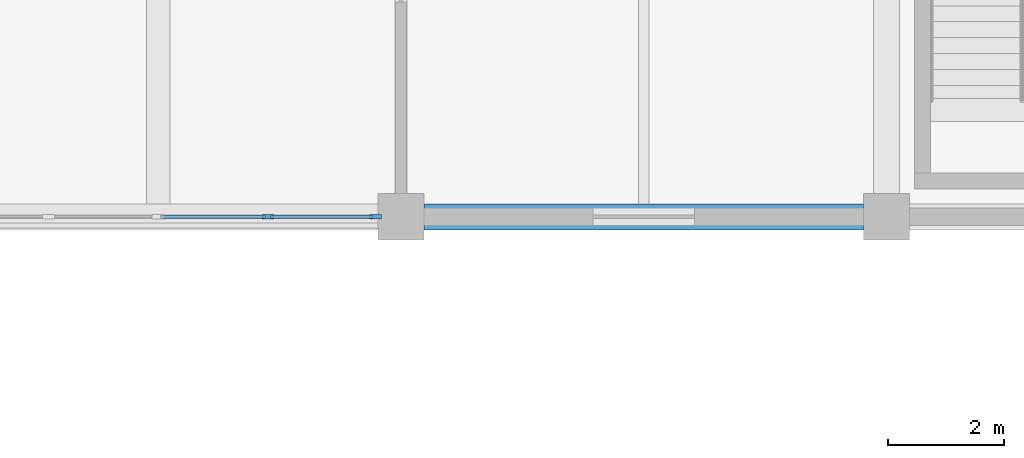
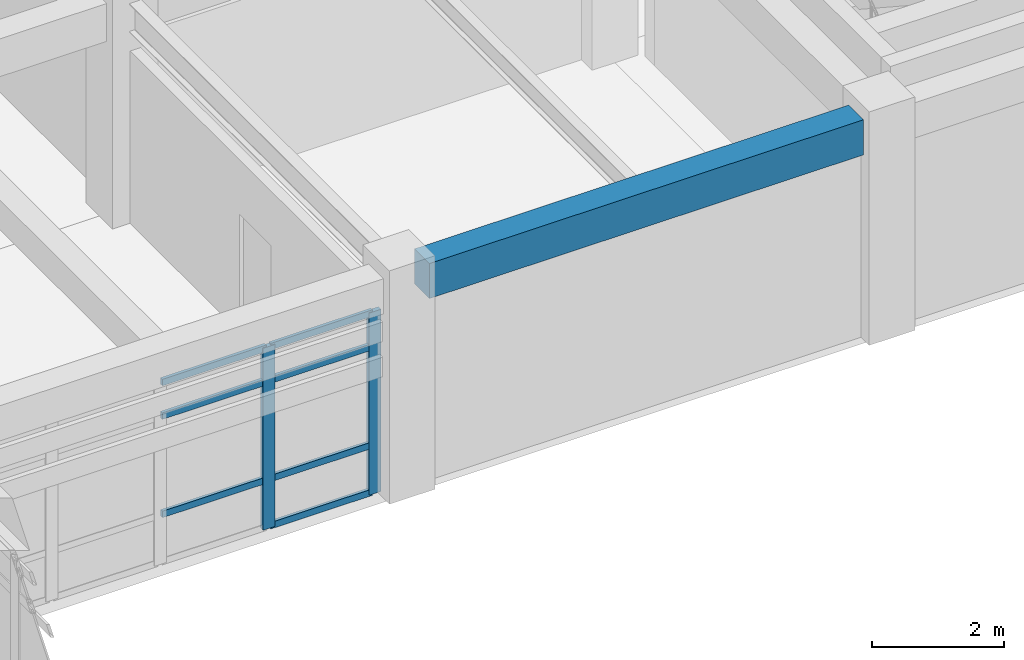
# One storey, part 30 of 74: 9 members, 1 beam, 1 element without a shape of its own.
"""IFC4 building model written with IfcOpenShell, lengths in metres."""

from ifc_helpers import new_model, si_unit, direction, frame, origin, origin_2d, place, context, subcontext, project, spatial, rectangle, extrude, material, layer, layer_set, material_profile, profile_set, type_object, element, aggregate, save


model = new_model("IFC4")

# Units and contexts
model_context = context("Model", 3, precision=1e-05, world=origin(), true_north=direction((0.0, 1.0)))
body_context = subcontext(model_context, "Body", "Model", "MODEL_VIEW")
ifc_project = project(units=[si_unit("LENGTHUNIT", "METRE"), si_unit("AREAUNIT", "SQUARE_METRE"), si_unit("VOLUMEUNIT", "CUBIC_METRE"), si_unit("PLANEANGLEUNIT", "RADIAN"), si_unit("MASSUNIT", "GRAM", prefix="KILO")], contexts=[model_context])

# Site, building, storey
site_placement = place(None, origin())
site = spatial("IfcSite", under=ifc_project, at=site_placement, CompositionType="ELEMENT")
building_placement = place(site_placement, origin())
building = spatial("IfcBuilding", under=site, at=building_placement, Name="Porcellanite Civic Hall", CompositionType="ELEMENT")
storey_placement = place(building_placement, frame((0.0, 0.0, 14.760009765625)))
storey = spatial("IfcBuildingStorey", under=building, at=storey_placement, Name="L03", CompositionType="ELEMENT", Elevation=14.760009765625)

# Beam
ifc_material_1 = material(Name="Concrete N50 (50 MPa)", Category="concrete")
ifc_material_profile_1 = material_profile(ifc_material_1, rectangle(XDim=0.449951171875, YDim=0.64990234375, at=origin_2d()), Name="RC-450x650")
ifc_profile_set_1 = profile_set([ifc_material_profile_1], Name="Concrete N50 (50 MPa)")
beam_type = type_object("IfcBeamType", Name="BM-RC650", PredefinedType="SPANDREL", material=ifc_profile_set_1)
beam_placement = place(storey_placement, frame((67.599609375, 100.800048828125, 3.744873046875), z_axis=(1.0, 0.0, 0.0), x_axis=(0.0, 1.0, 0.0)))
element("IfcBeam", 1, at=beam_placement, inside=storey, type_object=beam_type, Name="Beam X L03 9-13", PredefinedType="SPANDREL", context=body_context, shape_type="SweptSolid", body=[
    extrude(rectangle(XDim=0.449951171875, YDim=0.64990234375, at=origin_2d()), origin(), (0.0, 0.0, 1.0), 7.600830078125),
])

# Curtain wall, members
ifc_material_2 = material(Name="Anodised aluminium and solar laminated glass", Category="aluminium")
ifc_layer = layer(ifc_material_2, 0.179931640625)
ifc_layer_set = layer_set([ifc_layer], Name="Anodised aluminium and solar laminated glass")
curtain_wall_type = type_object("IfcCurtainWallType", Name="CW-SYS03", PredefinedType="NOTDEFINED", material=ifc_layer_set)
curtain_wall_placement = place(storey_placement, origin())
curtain_wall = element("IfcCurtainWall", 2, at=curtain_wall_placement, inside=storey, type_object=curtain_wall_type, Name="Curtain wall CW-204", PredefinedType="NOTDEFINED")
ifc_material_3 = material(Name="Anodised aluminium 6063-T6", Category="aluminium")
ifc_material_profile_2 = material_profile(ifc_material_3, rectangle(XDim=0.080078125, YDim=0.2099609375, at=origin_2d()), Name="AL-80x210")
ifc_profile_set_2 = profile_set([ifc_material_profile_2], Name="Anodised aluminium 6063-T6")
member_type_1 = type_object("IfcMemberType", Name="CWM-02", PredefinedType="MULLION", material=ifc_profile_set_2)
member_1_placement = place(storey_placement, frame((66.759033203125, 100.800048828125, 0.0), z_axis=(0.0, 0.0, 1.0), x_axis=(0.0, -1.0, 0.0)))
member_1 = element("IfcMember", 3, at=member_1_placement, type_object=member_type_1, Name="CW-204 mullion 1", PredefinedType="MULLION", context=body_context, shape_type="SweptSolid", body=[
    extrude(rectangle(XDim=0.080078125, YDim=0.2099609375, at=origin_2d()), origin(), (0.0, 0.0, 1.0), 3.369873046875),
])
member_2_placement = place(storey_placement, frame((64.8994140625, 100.800048828125, 0.0), z_axis=(0.0, 0.0, 1.0), x_axis=(0.0, -1.0, 0.0)))
member_2 = element("IfcMember", 4, at=member_2_placement, type_object=member_type_1, Name="CW-204 mullion 2", PredefinedType="MULLION", context=body_context, shape_type="SweptSolid", body=[
    extrude(rectangle(XDim=0.080078125, YDim=0.2099609375, at=origin_2d()), origin(), (0.0, 0.0, 1.0), 3.369873046875),
])
ifc_material_4 = material(Name="Anodised aluminium 6063-T6", Category="aluminium")
ifc_material_profile_3 = material_profile(ifc_material_4, rectangle(XDim=0.054931640625, YDim=0.1201171875, at=origin_2d()), Name="AL-55x120")
ifc_profile_set_3 = profile_set([ifc_material_profile_3], Name="Anodised aluminium 6063-T6")
member_type_2 = type_object("IfcMemberType", Name="CWT-04", PredefinedType="USERDEFINED", material=ifc_profile_set_3)
member_3_placement = place(storey_placement, frame((66.718994140625, 100.800048828125, 0.027587890625), z_axis=(-1.0, 0.0, 0.0), x_axis=(0.0, -1.0, 0.0)))
member_3 = element("IfcMember", 5, at=member_3_placement, type_object=member_type_2, Name="CW-204 transom 1.1", ObjectType="TRANSOM", PredefinedType="USERDEFINED", context=body_context, shape_type="SweptSolid", body=[
    extrude(rectangle(XDim=0.054931640625, YDim=0.1201171875, at=origin_2d()), origin(), (0.0, 0.0, 1.0), 1.779541015625),
])
member_4_placement = place(storey_placement, frame((66.718994140625, 100.800048828125, 0.89990234375), z_axis=(-1.0, 0.0, 0.0), x_axis=(0.0, -1.0, 0.0)))
member_4 = element("IfcMember", 6, at=member_4_placement, type_object=member_type_2, Name="CW-204 transom 1.2", ObjectType="TRANSOM", PredefinedType="USERDEFINED", context=body_context, shape_type="SweptSolid", body=[
    extrude(rectangle(XDim=0.054931640625, YDim=0.1201171875, at=origin_2d()), origin(), (0.0, 0.0, 1.0), 1.779541015625),
])
member_5_placement = place(storey_placement, frame((66.718994140625, 100.800048828125, 2.719970703125), z_axis=(-1.0, 0.0, 0.0), x_axis=(0.0, -1.0, 0.0)))
member_5 = element("IfcMember", 7, at=member_5_placement, type_object=member_type_2, Name="CW-204 transom 1.3", ObjectType="TRANSOM", PredefinedType="USERDEFINED", context=body_context, shape_type="SweptSolid", body=[
    extrude(rectangle(XDim=0.054931640625, YDim=0.1201171875, at=origin_2d()), origin(), (0.0, 0.0, 1.0), 1.779541015625),
])
member_6_placement = place(storey_placement, frame((66.718994140625, 100.800048828125, 3.342529296875), z_axis=(-1.0, 0.0, 0.0), x_axis=(0.0, -1.0, 0.0)))
member_6 = element("IfcMember", 8, at=member_6_placement, type_object=member_type_2, Name="CW-204 transom 1.4", ObjectType="TRANSOM", PredefinedType="USERDEFINED", context=body_context, shape_type="SweptSolid", body=[
    extrude(rectangle(XDim=0.054931640625, YDim=0.1201171875, at=origin_2d()), origin(), (0.0, 0.0, 1.0), 1.779541015625),
])
member_7_placement = place(storey_placement, frame((64.859619140625, 100.800048828125, 0.89990234375), z_axis=(-1.0, 0.0, 0.0), x_axis=(0.0, -1.0, 0.0)))
member_7 = element("IfcMember", 9, at=member_7_placement, type_object=member_type_2, Name="CW-204 transom 2.2", ObjectType="TRANSOM", PredefinedType="USERDEFINED", context=body_context, shape_type="SweptSolid", body=[
    extrude(rectangle(XDim=0.054931640625, YDim=0.1201171875, at=origin_2d()), origin(), (0.0, 0.0, 1.0), 1.819580078125),
])
member_8_placement = place(storey_placement, frame((64.859619140625, 100.800048828125, 2.719970703125), z_axis=(-1.0, 0.0, 0.0), x_axis=(0.0, -1.0, 0.0)))
member_8 = element("IfcMember", 10, at=member_8_placement, type_object=member_type_2, Name="CW-204 transom 2.3", ObjectType="TRANSOM", PredefinedType="USERDEFINED", context=body_context, shape_type="SweptSolid", body=[
    extrude(rectangle(XDim=0.054931640625, YDim=0.1201171875, at=origin_2d()), origin(), (0.0, 0.0, 1.0), 1.819580078125),
])
member_9_placement = place(storey_placement, frame((64.859619140625, 100.800048828125, 3.342529296875), z_axis=(-1.0, 0.0, 0.0), x_axis=(0.0, -1.0, 0.0)))
member_9 = element("IfcMember", 11, at=member_9_placement, type_object=member_type_2, Name="CW-204 transom 2.4", ObjectType="TRANSOM", PredefinedType="USERDEFINED", context=body_context, shape_type="SweptSolid", body=[
    extrude(rectangle(XDim=0.054931640625, YDim=0.1201171875, at=origin_2d()), origin(), (0.0, 0.0, 1.0), 1.819580078125),
])
aggregate(curtain_wall, [member_1, member_2, member_3, member_4, member_5, member_6, member_7, member_8, member_9])

save(model, "model.ifc")
